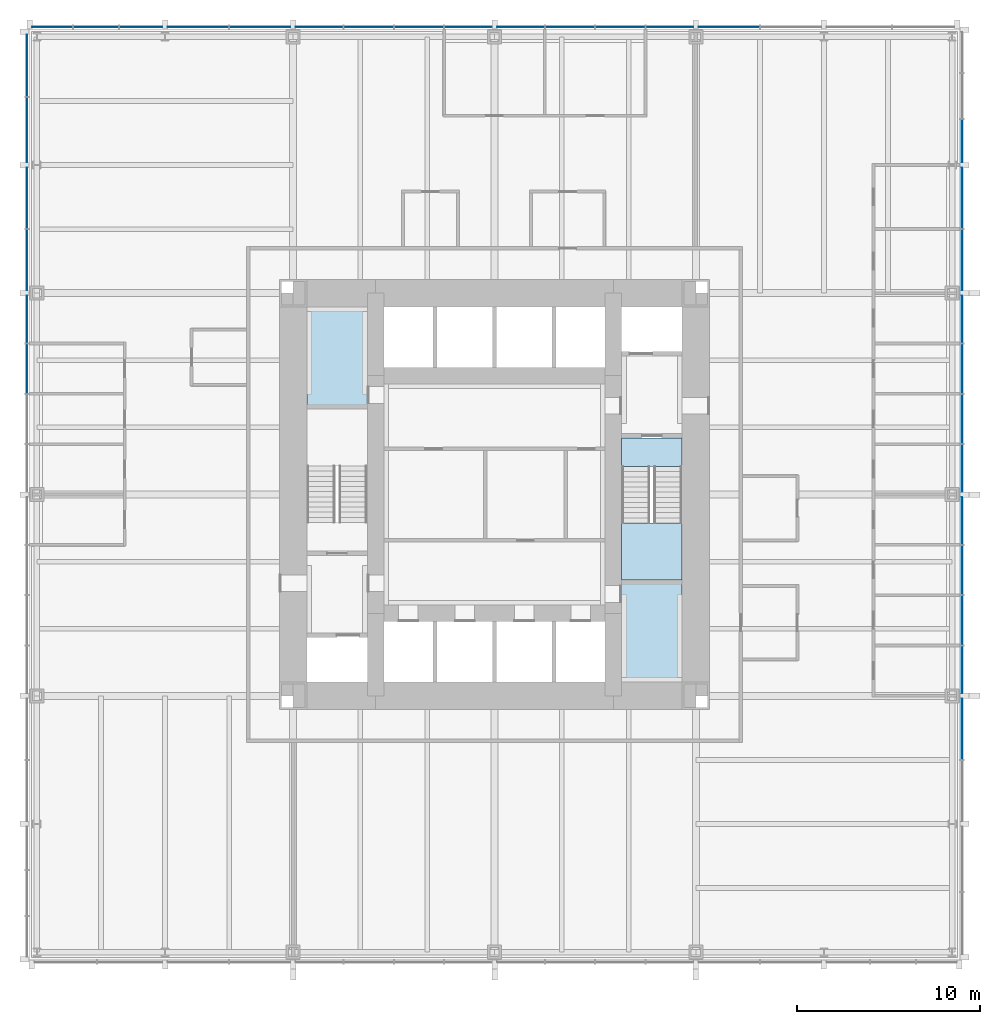
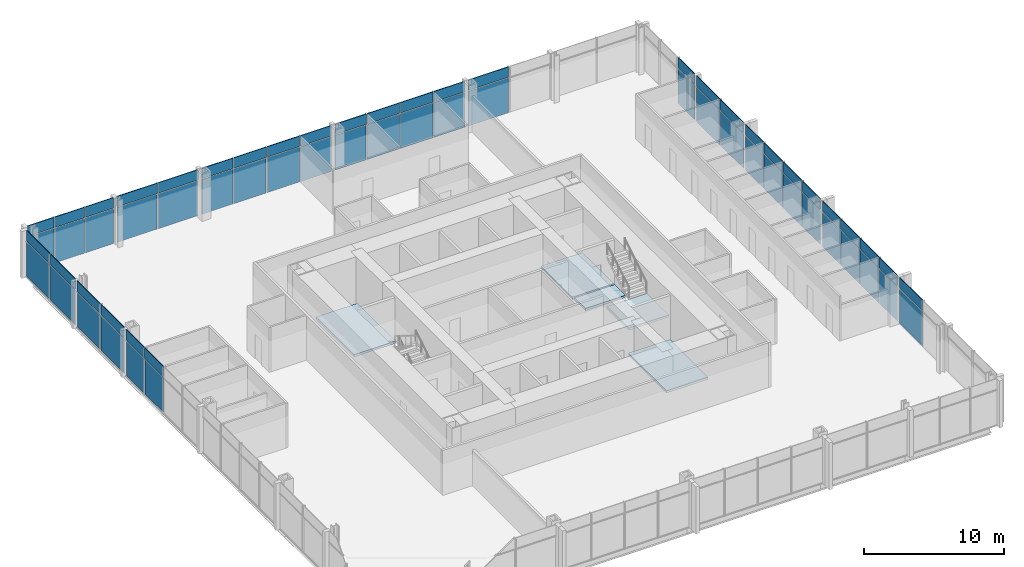
# One storey, part 8 of 12: 64 plates, 5 slabs, 4 elements without a shape of their own.
"""IFC4 building model written with IfcOpenShell, lengths in metres."""

from ifc_helpers import new_model, si_unit, direction, frame, origin, origin_2d, place, context, subcontext, project, spatial, polyline, rectangle, outline, extrude, material, layer, layer_set, type_object, element, aggregate, save


model = new_model("IFC4")

# Units and contexts
model_context = context("Model", 3, precision=1e-05, world=origin(), true_north=direction((0.0, 1.0)))
body_context = subcontext(model_context, "Body", "Model", "MODEL_VIEW")
ifc_project = project(units=[si_unit("LENGTHUNIT", "METRE"), si_unit("AREAUNIT", "SQUARE_METRE"), si_unit("VOLUMEUNIT", "CUBIC_METRE"), si_unit("PLANEANGLEUNIT", "RADIAN"), si_unit("MASSUNIT", "GRAM", prefix="KILO")], contexts=[model_context])

# Site, building, storey
site_placement = place(None, origin())
site = spatial("IfcSite", under=ifc_project, at=site_placement, CompositionType="ELEMENT")
building_placement = place(site_placement, origin())
building = spatial("IfcBuilding", under=site, at=building_placement, Name="Trevanion Tower", CompositionType="ELEMENT")
storey_placement = place(building_placement, frame((0.0, 0.0, 44.699951171875)))
storey = spatial("IfcBuildingStorey", under=building, at=storey_placement, Name="L10", CompositionType="ELEMENT", Elevation=44.699951171875)

# Curtain wall, plates
ifc_material_1 = material(Name="Aluminium and glass", Category="aluminium")
curtain_wall_type = type_object("IfcCurtainWallType", Name="CW1 curtain wall", PredefinedType="USERDEFINED", material=ifc_material_1)
curtain_wall_1_placement = place(storey_placement, origin())
curtain_wall_1 = element("IfcCurtainWall", 1, at=curtain_wall_1_placement, inside=storey, type_object=curtain_wall_type, Name="CW1 L10 0", ObjectType="UNITISED CURTAIN WALL", PredefinedType="USERDEFINED")
ifc_material_2 = material(Name="Aluminium spandrel panel", Category="aluminium")
ifc_layer_1 = layer(ifc_material_2, 0.06005859375)
ifc_layer_set_1 = layer_set([ifc_layer_1], Name="CW1 spandrel panel")
plate_type_1 = type_object("IfcPlateType", Name="CW1 spandrel panel", PredefinedType="CURTAIN_PANEL", material=ifc_layer_set_1)
plate_1_placement = place(storey_placement, frame((25.550048828125, -12.806396484375, 2.99755859375), z_axis=(0.0, 0.0, 1.0), x_axis=(0.0, 1.0, 0.0)))
plate_1 = element("IfcPlate", 2, at=plate_1_placement, type_object=plate_type_1, Name="CW1 panel 4.2", PredefinedType="CURTAIN_PANEL", context=body_context, shape_type="SweptSolid", body=[
    extrude(rectangle(XDim=3.3125, YDim=0.06005859375, at=origin_2d()), origin(), (0.0, 0.0, 1.0), 0.91259765625),
])
plate_2_placement = place(storey_placement, frame((25.550048828125, -9.56884765625, 2.99755859375), z_axis=(0.0, 0.0, 1.0), x_axis=(0.0, 1.0, 0.0)))
plate_2 = element("IfcPlate", 3, at=plate_2_placement, type_object=plate_type_1, Name="CW1 panel 5.2", PredefinedType="CURTAIN_PANEL", context=body_context, shape_type="SweptSolid", body=[
    extrude(rectangle(XDim=2.5625, YDim=0.06005859375, at=origin_2d()), origin(), (0.0, 0.0, 1.0), 0.91259765625),
])
plate_3_placement = place(storey_placement, frame((25.550048828125, -6.875, 2.99755859375), z_axis=(0.0, 0.0, 1.0), x_axis=(0.0, 1.0, 0.0)))
plate_3 = element("IfcPlate", 4, at=plate_3_placement, type_object=plate_type_1, Name="CW1 panel 6.2", PredefinedType="CURTAIN_PANEL", context=body_context, shape_type="SweptSolid", body=[
    extrude(rectangle(XDim=2.675048828125, YDim=0.06005859375, at=origin_2d()), origin(), (0.0, 0.0, 1.0), 0.91259765625),
])
plate_4_placement = place(storey_placement, frame((25.550048828125, -4.125, 2.99755859375), z_axis=(0.0, 0.0, 1.0), x_axis=(0.0, 1.0, 0.0)))
plate_4 = element("IfcPlate", 5, at=plate_4_placement, type_object=plate_type_1, Name="CW1 panel 7.2", PredefinedType="CURTAIN_PANEL", context=body_context, shape_type="SweptSolid", body=[
    extrude(rectangle(XDim=2.675048828125, YDim=0.06005859375, at=origin_2d()), origin(), (0.0, 0.0, 1.0), 0.91259765625),
])
plate_5_placement = place(storey_placement, frame((25.550048828125, -1.43115234375, 2.99755859375), z_axis=(0.0, 0.0, 1.0), x_axis=(0.0, 1.0, 0.0)))
plate_5 = element("IfcPlate", 6, at=plate_5_placement, type_object=plate_type_1, Name="CW1 panel 8.2", PredefinedType="CURTAIN_PANEL", context=body_context, shape_type="SweptSolid", body=[
    extrude(rectangle(XDim=2.5625, YDim=0.06005859375, at=origin_2d()), origin(), (0.0, 0.0, 1.0), 0.91259765625),
])
plate_6_placement = place(storey_placement, frame((25.550048828125, 1.43115234375, 2.99755859375), z_axis=(0.0, 0.0, 1.0), x_axis=(0.0, 1.0, 0.0)))
plate_6 = element("IfcPlate", 7, at=plate_6_placement, type_object=plate_type_1, Name="CW1 panel 9.2", PredefinedType="CURTAIN_PANEL", context=body_context, shape_type="SweptSolid", body=[
    extrude(rectangle(XDim=2.5625, YDim=0.06005859375, at=origin_2d()), origin(), (0.0, 0.0, 1.0), 0.91259765625),
])
plate_7_placement = place(storey_placement, frame((25.550048828125, 4.125, 2.99755859375), z_axis=(0.0, 0.0, 1.0), x_axis=(0.0, 1.0, 0.0)))
plate_7 = element("IfcPlate", 8, at=plate_7_placement, type_object=plate_type_1, Name="CW1 panel 10.2", PredefinedType="CURTAIN_PANEL", context=body_context, shape_type="SweptSolid", body=[
    extrude(rectangle(XDim=2.675048828125, YDim=0.06005859375, at=origin_2d()), origin(), (0.0, 0.0, 1.0), 0.91259765625),
])
plate_8_placement = place(storey_placement, frame((25.550048828125, 6.875, 2.99755859375), z_axis=(0.0, 0.0, 1.0), x_axis=(0.0, 1.0, 0.0)))
plate_8 = element("IfcPlate", 9, at=plate_8_placement, type_object=plate_type_1, Name="CW1 panel 11.2", PredefinedType="CURTAIN_PANEL", context=body_context, shape_type="SweptSolid", body=[
    extrude(rectangle(XDim=2.675048828125, YDim=0.06005859375, at=origin_2d()), origin(), (0.0, 0.0, 1.0), 0.91259765625),
])
plate_9_placement = place(storey_placement, frame((25.550048828125, 9.56884765625, 2.99755859375), z_axis=(0.0, 0.0, 1.0), x_axis=(0.0, 1.0, 0.0)))
plate_9 = element("IfcPlate", 10, at=plate_9_placement, type_object=plate_type_1, Name="CW1 panel 12.2", PredefinedType="CURTAIN_PANEL", context=body_context, shape_type="SweptSolid", body=[
    extrude(rectangle(XDim=2.5625, YDim=0.06005859375, at=origin_2d()), origin(), (0.0, 0.0, 1.0), 0.91259765625),
])
plate_10_placement = place(storey_placement, frame((25.550048828125, 12.80615234375, 2.99755859375), z_axis=(0.0, 0.0, 1.0), x_axis=(0.0, 1.0, 0.0)))
plate_10 = element("IfcPlate", 11, at=plate_10_placement, type_object=plate_type_1, Name="CW1 panel 13.2", PredefinedType="CURTAIN_PANEL", context=body_context, shape_type="SweptSolid", body=[
    extrude(rectangle(XDim=3.3125, YDim=0.06005859375, at=origin_2d()), origin(), (0.0, 0.0, 1.0), 0.91259765625),
])
plate_11_placement = place(storey_placement, frame((25.550048828125, 16.19384765625, 2.99755859375), z_axis=(0.0, 0.0, 1.0), x_axis=(0.0, 1.0, 0.0)))
plate_11 = element("IfcPlate", 12, at=plate_11_placement, type_object=plate_type_1, Name="CW1 panel 14.2", PredefinedType="CURTAIN_PANEL", context=body_context, shape_type="SweptSolid", body=[
    extrude(rectangle(XDim=3.3125, YDim=0.06005859375, at=origin_2d()), origin(), (0.0, 0.0, 1.0), 0.91259765625),
])
plate_12_placement = place(storey_placement, frame((25.550048828125, 19.314697265625, 2.99755859375), z_axis=(0.0, 0.0, 1.0), x_axis=(0.0, 1.0, 0.0)))
plate_12 = element("IfcPlate", 13, at=plate_12_placement, type_object=plate_type_1, Name="CW1 panel 15.2", PredefinedType="CURTAIN_PANEL", context=body_context, shape_type="SweptSolid", body=[
    extrude(rectangle(XDim=2.3291015625, YDim=0.06005859375, at=origin_2d()), origin(), (0.0, 0.0, 1.0), 0.91259765625),
])

curtain_wall_2_placement = place(storey_placement, origin())
curtain_wall_2 = element("IfcCurtainWall", 14, at=curtain_wall_2_placement, inside=storey, type_object=curtain_wall_type, Name="CW1 L10 1", ObjectType="UNITISED CURTAIN WALL", PredefinedType="USERDEFINED")
plate_13_placement = place(storey_placement, frame((12.806396484375, 25.550048828125, 2.99755859375), z_axis=(0.0, 0.0, 1.0), x_axis=(-1.0, 0.0, 0.0)))
plate_13 = element("IfcPlate", 15, at=plate_13_placement, type_object=plate_type_1, Name="CW1 panel 4.2", PredefinedType="CURTAIN_PANEL", context=body_context, shape_type="SweptSolid", body=[
    extrude(rectangle(XDim=3.3125, YDim=0.06005859375, at=origin_2d()), origin(), (0.0, 0.0, 1.0), 0.91259765625),
])
plate_14_placement = place(storey_placement, frame((9.56884765625, 25.550048828125, 2.99755859375), z_axis=(0.0, 0.0, 1.0), x_axis=(-1.0, 0.0, 0.0)))
plate_14 = element("IfcPlate", 16, at=plate_14_placement, type_object=plate_type_1, Name="CW1 panel 5.2", PredefinedType="CURTAIN_PANEL", context=body_context, shape_type="SweptSolid", body=[
    extrude(rectangle(XDim=2.5625, YDim=0.06005859375, at=origin_2d()), origin(), (0.0, 0.0, 1.0), 0.91259765625),
])
plate_15_placement = place(storey_placement, frame((6.875, 25.550048828125, 2.99755859375), z_axis=(0.0, 0.0, 1.0), x_axis=(-1.0, 0.0, 0.0)))
plate_15 = element("IfcPlate", 17, at=plate_15_placement, type_object=plate_type_1, Name="CW1 panel 6.2", PredefinedType="CURTAIN_PANEL", context=body_context, shape_type="SweptSolid", body=[
    extrude(rectangle(XDim=2.675048828125, YDim=0.06005859375, at=origin_2d()), origin(), (0.0, 0.0, 1.0), 0.91259765625),
])
plate_16_placement = place(storey_placement, frame((4.125, 25.550048828125, 2.99755859375), z_axis=(0.0, 0.0, 1.0), x_axis=(-1.0, 0.0, 0.0)))
plate_16 = element("IfcPlate", 18, at=plate_16_placement, type_object=plate_type_1, Name="CW1 panel 7.2", PredefinedType="CURTAIN_PANEL", context=body_context, shape_type="SweptSolid", body=[
    extrude(rectangle(XDim=2.675048828125, YDim=0.06005859375, at=origin_2d()), origin(), (0.0, 0.0, 1.0), 0.91259765625),
])
plate_17_placement = place(storey_placement, frame((1.43115234375, 25.550048828125, 2.99755859375), z_axis=(0.0, 0.0, 1.0), x_axis=(-1.0, 0.0, 0.0)))
plate_17 = element("IfcPlate", 19, at=plate_17_placement, type_object=plate_type_1, Name="CW1 panel 8.2", PredefinedType="CURTAIN_PANEL", context=body_context, shape_type="SweptSolid", body=[
    extrude(rectangle(XDim=2.5625, YDim=0.06005859375, at=origin_2d()), origin(), (0.0, 0.0, 1.0), 0.91259765625),
])
plate_18_placement = place(storey_placement, frame((-1.43115234375, 25.550048828125, 2.99755859375), z_axis=(0.0, 0.0, 1.0), x_axis=(-1.0, 0.0, 0.0)))
plate_18 = element("IfcPlate", 20, at=plate_18_placement, type_object=plate_type_1, Name="CW1 panel 9.2", PredefinedType="CURTAIN_PANEL", context=body_context, shape_type="SweptSolid", body=[
    extrude(rectangle(XDim=2.5625, YDim=0.06005859375, at=origin_2d()), origin(), (0.0, 0.0, 1.0), 0.91259765625),
])
plate_19_placement = place(storey_placement, frame((-4.125, 25.550048828125, 2.99755859375), z_axis=(0.0, 0.0, 1.0), x_axis=(-1.0, 0.0, 0.0)))
plate_19 = element("IfcPlate", 21, at=plate_19_placement, type_object=plate_type_1, Name="CW1 panel 10.2", PredefinedType="CURTAIN_PANEL", context=body_context, shape_type="SweptSolid", body=[
    extrude(rectangle(XDim=2.675048828125, YDim=0.06005859375, at=origin_2d()), origin(), (0.0, 0.0, 1.0), 0.91259765625),
])
plate_20_placement = place(storey_placement, frame((-6.875, 25.550048828125, 2.99755859375), z_axis=(0.0, 0.0, 1.0), x_axis=(-1.0, 0.0, 0.0)))
plate_20 = element("IfcPlate", 22, at=plate_20_placement, type_object=plate_type_1, Name="CW1 panel 11.2", PredefinedType="CURTAIN_PANEL", context=body_context, shape_type="SweptSolid", body=[
    extrude(rectangle(XDim=2.675048828125, YDim=0.06005859375, at=origin_2d()), origin(), (0.0, 0.0, 1.0), 0.91259765625),
])
plate_21_placement = place(storey_placement, frame((-9.56884765625, 25.550048828125, 2.99755859375), z_axis=(0.0, 0.0, 1.0), x_axis=(-1.0, 0.0, 0.0)))
plate_21 = element("IfcPlate", 23, at=plate_21_placement, type_object=plate_type_1, Name="CW1 panel 12.2", PredefinedType="CURTAIN_PANEL", context=body_context, shape_type="SweptSolid", body=[
    extrude(rectangle(XDim=2.5625, YDim=0.06005859375, at=origin_2d()), origin(), (0.0, 0.0, 1.0), 0.91259765625),
])
plate_22_placement = place(storey_placement, frame((-12.80615234375, 25.550048828125, 2.99755859375), z_axis=(0.0, 0.0, 1.0), x_axis=(-1.0, 0.0, 0.0)))
plate_22 = element("IfcPlate", 24, at=plate_22_placement, type_object=plate_type_1, Name="CW1 panel 13.2", PredefinedType="CURTAIN_PANEL", context=body_context, shape_type="SweptSolid", body=[
    extrude(rectangle(XDim=3.3125, YDim=0.06005859375, at=origin_2d()), origin(), (0.0, 0.0, 1.0), 0.91259765625),
])
plate_23_placement = place(storey_placement, frame((-16.19384765625, 25.550048828125, 2.99755859375), z_axis=(0.0, 0.0, 1.0), x_axis=(-1.0, 0.0, 0.0)))
plate_23 = element("IfcPlate", 25, at=plate_23_placement, type_object=plate_type_1, Name="CW1 panel 14.2", PredefinedType="CURTAIN_PANEL", context=body_context, shape_type="SweptSolid", body=[
    extrude(rectangle(XDim=3.3125, YDim=0.06005859375, at=origin_2d()), origin(), (0.0, 0.0, 1.0), 0.91259765625),
])
plate_24_placement = place(storey_placement, frame((-19.314697265625, 25.550048828125, 2.99755859375), z_axis=(0.0, 0.0, 1.0), x_axis=(-1.0, 0.0, 0.0)))
plate_24 = element("IfcPlate", 26, at=plate_24_placement, type_object=plate_type_1, Name="CW1 panel 15.2", PredefinedType="CURTAIN_PANEL", context=body_context, shape_type="SweptSolid", body=[
    extrude(rectangle(XDim=2.3291015625, YDim=0.06005859375, at=origin_2d()), origin(), (0.0, 0.0, 1.0), 0.91259765625),
])
plate_25_placement = place(storey_placement, frame((-21.77490234375, 25.550048828125, 2.99755859375), z_axis=(0.0, 0.0, 1.0), x_axis=(-1.0, 0.0, 0.0)))
plate_25 = element("IfcPlate", 27, at=plate_25_placement, type_object=plate_type_1, Name="CW1 panel 16.2", PredefinedType="CURTAIN_PANEL", context=body_context, shape_type="SweptSolid", body=[
    extrude(rectangle(XDim=2.441650390625, YDim=0.06005859375, at=origin_2d()), origin(), (0.0, 0.0, 1.0), 0.91259765625),
])
plate_26_placement = place(storey_placement, frame((-24.160400390625, 25.550048828125, 2.99755859375), z_axis=(0.0, 0.0, 1.0), x_axis=(-1.0, 0.0, 0.0)))
plate_26 = element("IfcPlate", 28, at=plate_26_placement, type_object=plate_type_1, Name="CW1 panel 17.2", PredefinedType="CURTAIN_PANEL", context=body_context, shape_type="SweptSolid", body=[
    extrude(rectangle(XDim=2.17919921875, YDim=0.06005859375, at=origin_2d()), origin(), (0.0, 0.0, 1.0), 0.91259765625),
])

curtain_wall_3_placement = place(storey_placement, origin())
curtain_wall_3 = element("IfcCurtainWall", 29, at=curtain_wall_3_placement, inside=storey, type_object=curtain_wall_type, Name="CW1 L10 2", ObjectType="UNITISED CURTAIN WALL", PredefinedType="USERDEFINED")
plate_27_placement = place(storey_placement, frame((-25.550048828125, 23.433837890625, 2.99755859375), z_axis=(0.0, 0.0, 1.0), x_axis=(0.0, -1.0, 0.0)))
plate_27 = element("IfcPlate", 30, at=plate_27_placement, type_object=plate_type_1, Name="CW1 panel 1.2", PredefinedType="CURTAIN_PANEL", context=body_context, shape_type="SweptSolid", body=[
    extrude(rectangle(XDim=3.37255859375, YDim=0.06005859375, at=origin_2d()), origin(), (0.0, 0.0, 1.0), 0.91259765625),
])
plate_28_placement = place(storey_placement, frame((-25.550048828125, 19.911376953125, 2.99755859375), z_axis=(0.0, 0.0, 1.0), x_axis=(0.0, -1.0, 0.0)))
plate_28 = element("IfcPlate", 31, at=plate_28_placement, type_object=plate_type_1, Name="CW1 panel 2.2", PredefinedType="CURTAIN_PANEL", context=body_context, shape_type="SweptSolid", body=[
    extrude(rectangle(XDim=3.5224609375, YDim=0.06005859375, at=origin_2d()), origin(), (0.0, 0.0, 1.0), 0.91259765625),
])
plate_29_placement = place(storey_placement, frame((-25.550048828125, 16.19384765625, 2.99755859375), z_axis=(0.0, 0.0, 1.0), x_axis=(0.0, -1.0, 0.0)))
plate_29 = element("IfcPlate", 32, at=plate_29_placement, type_object=plate_type_1, Name="CW1 panel 3.2", PredefinedType="CURTAIN_PANEL", context=body_context, shape_type="SweptSolid", body=[
    extrude(rectangle(XDim=3.3125, YDim=0.06005859375, at=origin_2d()), origin(), (0.0, 0.0, 1.0), 0.91259765625),
])
plate_30_placement = place(storey_placement, frame((-25.550048828125, 12.806396484375, 2.99755859375), z_axis=(0.0, 0.0, 1.0), x_axis=(0.0, -1.0, 0.0)))
plate_30 = element("IfcPlate", 33, at=plate_30_placement, type_object=plate_type_1, Name="CW1 panel 4.2", PredefinedType="CURTAIN_PANEL", context=body_context, shape_type="SweptSolid", body=[
    extrude(rectangle(XDim=3.3125, YDim=0.06005859375, at=origin_2d()), origin(), (0.0, 0.0, 1.0), 0.91259765625),
])
plate_31_placement = place(storey_placement, frame((-25.550048828125, 9.56884765625, 2.99755859375), z_axis=(0.0, 0.0, 1.0), x_axis=(0.0, -1.0, 0.0)))
plate_31 = element("IfcPlate", 34, at=plate_31_placement, type_object=plate_type_1, Name="CW1 panel 5.2", PredefinedType="CURTAIN_PANEL", context=body_context, shape_type="SweptSolid", body=[
    extrude(rectangle(XDim=2.5625, YDim=0.06005859375, at=origin_2d()), origin(), (0.0, 0.0, 1.0), 0.91259765625),
])
plate_32_placement = place(storey_placement, frame((-25.550048828125, 6.875, 2.99755859375), z_axis=(0.0, 0.0, 1.0), x_axis=(0.0, -1.0, 0.0)))
plate_32 = element("IfcPlate", 35, at=plate_32_placement, type_object=plate_type_1, Name="CW1 panel 6.2", PredefinedType="CURTAIN_PANEL", context=body_context, shape_type="SweptSolid", body=[
    extrude(rectangle(XDim=2.675048828125, YDim=0.06005859375, at=origin_2d()), origin(), (0.0, 0.0, 1.0), 0.91259765625),
])

# Plate
ifc_material_3 = material(Name="Insulating glass unit", Category="glass")
ifc_layer_2 = layer(ifc_material_3, 0.028076171875)
ifc_layer_set_2 = layer_set([ifc_layer_2], Name="CW1 vision panel")
plate_type_2 = type_object("IfcPlateType", Name="CW1 vision panel", PredefinedType="CURTAIN_PANEL", material=ifc_layer_set_2)
plate_33_placement = place(storey_placement, frame((25.550048828125, -12.806396484375, -0.114990234375), z_axis=(0.0, 0.0, 1.0), x_axis=(0.0, 1.0, 0.0)))
plate_33 = element("IfcPlate", 36, at=plate_33_placement, type_object=plate_type_2, Name="CW1 panel 4.1", PredefinedType="CURTAIN_PANEL", context=body_context, shape_type="SweptSolid", body=[
    extrude(rectangle(XDim=3.3125, YDim=0.028076171875, at=origin_2d()), origin(), (0.0, 0.0, 1.0), 3.03759765625),
])

plate_34_placement = place(storey_placement, frame((25.550048828125, -9.56884765625, -0.114990234375), z_axis=(0.0, 0.0, 1.0), x_axis=(0.0, 1.0, 0.0)))
plate_34 = element("IfcPlate", 37, at=plate_34_placement, type_object=plate_type_2, Name="CW1 panel 5.1", PredefinedType="CURTAIN_PANEL", context=body_context, shape_type="SweptSolid", body=[
    extrude(rectangle(XDim=2.5625, YDim=0.028076171875, at=origin_2d()), origin(), (0.0, 0.0, 1.0), 3.03759765625),
])

plate_35_placement = place(storey_placement, frame((25.550048828125, -6.875, -0.114990234375), z_axis=(0.0, 0.0, 1.0), x_axis=(0.0, 1.0, 0.0)))
plate_35 = element("IfcPlate", 38, at=plate_35_placement, type_object=plate_type_2, Name="CW1 panel 6.1", PredefinedType="CURTAIN_PANEL", context=body_context, shape_type="SweptSolid", body=[
    extrude(rectangle(XDim=2.675048828125, YDim=0.028076171875, at=origin_2d()), origin(), (0.0, 0.0, 1.0), 3.03759765625),
])

plate_36_placement = place(storey_placement, frame((25.550048828125, -4.125, -0.114990234375), z_axis=(0.0, 0.0, 1.0), x_axis=(0.0, 1.0, 0.0)))
plate_36 = element("IfcPlate", 39, at=plate_36_placement, type_object=plate_type_2, Name="CW1 panel 7.1", PredefinedType="CURTAIN_PANEL", context=body_context, shape_type="SweptSolid", body=[
    extrude(rectangle(XDim=2.675048828125, YDim=0.028076171875, at=origin_2d()), origin(), (0.0, 0.0, 1.0), 3.03759765625),
])

plate_37_placement = place(storey_placement, frame((25.550048828125, -1.43115234375, -0.114990234375), z_axis=(0.0, 0.0, 1.0), x_axis=(0.0, 1.0, 0.0)))
plate_37 = element("IfcPlate", 40, at=plate_37_placement, type_object=plate_type_2, Name="CW1 panel 8.1", PredefinedType="CURTAIN_PANEL", context=body_context, shape_type="SweptSolid", body=[
    extrude(rectangle(XDim=2.5625, YDim=0.028076171875, at=origin_2d()), origin(), (0.0, 0.0, 1.0), 3.03759765625),
])

plate_38_placement = place(storey_placement, frame((25.550048828125, 1.43115234375, -0.114990234375), z_axis=(0.0, 0.0, 1.0), x_axis=(0.0, 1.0, 0.0)))
plate_38 = element("IfcPlate", 41, at=plate_38_placement, type_object=plate_type_2, Name="CW1 panel 9.1", PredefinedType="CURTAIN_PANEL", context=body_context, shape_type="SweptSolid", body=[
    extrude(rectangle(XDim=2.5625, YDim=0.028076171875, at=origin_2d()), origin(), (0.0, 0.0, 1.0), 3.03759765625),
])

plate_39_placement = place(storey_placement, frame((25.550048828125, 4.125, -0.114990234375), z_axis=(0.0, 0.0, 1.0), x_axis=(0.0, 1.0, 0.0)))
plate_39 = element("IfcPlate", 42, at=plate_39_placement, type_object=plate_type_2, Name="CW1 panel 10.1", PredefinedType="CURTAIN_PANEL", context=body_context, shape_type="SweptSolid", body=[
    extrude(rectangle(XDim=2.675048828125, YDim=0.028076171875, at=origin_2d()), origin(), (0.0, 0.0, 1.0), 3.03759765625),
])

plate_40_placement = place(storey_placement, frame((25.550048828125, 6.875, -0.114990234375), z_axis=(0.0, 0.0, 1.0), x_axis=(0.0, 1.0, 0.0)))
plate_40 = element("IfcPlate", 43, at=plate_40_placement, type_object=plate_type_2, Name="CW1 panel 11.1", PredefinedType="CURTAIN_PANEL", context=body_context, shape_type="SweptSolid", body=[
    extrude(rectangle(XDim=2.675048828125, YDim=0.028076171875, at=origin_2d()), origin(), (0.0, 0.0, 1.0), 3.03759765625),
])

plate_41_placement = place(storey_placement, frame((25.550048828125, 9.56884765625, -0.114990234375), z_axis=(0.0, 0.0, 1.0), x_axis=(0.0, 1.0, 0.0)))
plate_41 = element("IfcPlate", 44, at=plate_41_placement, type_object=plate_type_2, Name="CW1 panel 12.1", PredefinedType="CURTAIN_PANEL", context=body_context, shape_type="SweptSolid", body=[
    extrude(rectangle(XDim=2.5625, YDim=0.028076171875, at=origin_2d()), origin(), (0.0, 0.0, 1.0), 3.03759765625),
])

plate_42_placement = place(storey_placement, frame((25.550048828125, 12.80615234375, -0.114990234375), z_axis=(0.0, 0.0, 1.0), x_axis=(0.0, 1.0, 0.0)))
plate_42 = element("IfcPlate", 45, at=plate_42_placement, type_object=plate_type_2, Name="CW1 panel 13.1", PredefinedType="CURTAIN_PANEL", context=body_context, shape_type="SweptSolid", body=[
    extrude(rectangle(XDim=3.3125, YDim=0.028076171875, at=origin_2d()), origin(), (0.0, 0.0, 1.0), 3.03759765625),
])

plate_43_placement = place(storey_placement, frame((25.550048828125, 16.19384765625, -0.114990234375), z_axis=(0.0, 0.0, 1.0), x_axis=(0.0, 1.0, 0.0)))
plate_43 = element("IfcPlate", 46, at=plate_43_placement, type_object=plate_type_2, Name="CW1 panel 14.1", PredefinedType="CURTAIN_PANEL", context=body_context, shape_type="SweptSolid", body=[
    extrude(rectangle(XDim=3.3125, YDim=0.028076171875, at=origin_2d()), origin(), (0.0, 0.0, 1.0), 3.03759765625),
])

plate_44_placement = place(storey_placement, frame((25.550048828125, 19.314697265625, -0.114990234375), z_axis=(0.0, 0.0, 1.0), x_axis=(0.0, 1.0, 0.0)))
plate_44 = element("IfcPlate", 47, at=plate_44_placement, type_object=plate_type_2, Name="CW1 panel 15.1", PredefinedType="CURTAIN_PANEL", context=body_context, shape_type="SweptSolid", body=[
    extrude(rectangle(XDim=2.3291015625, YDim=0.028076171875, at=origin_2d()), origin(), (0.0, 0.0, 1.0), 3.03759765625),
])

aggregate(curtain_wall_1, [plate_33, plate_1, plate_34, plate_2, plate_35, plate_3, plate_36, plate_4, plate_37, plate_5, plate_38, plate_6, plate_39, plate_7, plate_40, plate_8, plate_41, plate_9, plate_42, plate_10, plate_43, plate_11, plate_44, plate_12])

plate_45_placement = place(storey_placement, frame((12.806396484375, 25.550048828125, -0.114990234375), z_axis=(0.0, 0.0, 1.0), x_axis=(-1.0, 0.0, 0.0)))
plate_45 = element("IfcPlate", 48, at=plate_45_placement, type_object=plate_type_2, Name="CW1 panel 4.1", PredefinedType="CURTAIN_PANEL", context=body_context, shape_type="SweptSolid", body=[
    extrude(rectangle(XDim=3.3125, YDim=0.028076171875, at=origin_2d()), origin(), (0.0, 0.0, 1.0), 3.03759765625),
])

plate_46_placement = place(storey_placement, frame((9.56884765625, 25.550048828125, -0.114990234375), z_axis=(0.0, 0.0, 1.0), x_axis=(-1.0, 0.0, 0.0)))
plate_46 = element("IfcPlate", 49, at=plate_46_placement, type_object=plate_type_2, Name="CW1 panel 5.1", PredefinedType="CURTAIN_PANEL", context=body_context, shape_type="SweptSolid", body=[
    extrude(rectangle(XDim=2.5625, YDim=0.028076171875, at=origin_2d()), origin(), (0.0, 0.0, 1.0), 3.03759765625),
])

plate_47_placement = place(storey_placement, frame((6.875, 25.550048828125, -0.114990234375), z_axis=(0.0, 0.0, 1.0), x_axis=(-1.0, 0.0, 0.0)))
plate_47 = element("IfcPlate", 50, at=plate_47_placement, type_object=plate_type_2, Name="CW1 panel 6.1", PredefinedType="CURTAIN_PANEL", context=body_context, shape_type="SweptSolid", body=[
    extrude(rectangle(XDim=2.675048828125, YDim=0.028076171875, at=origin_2d()), origin(), (0.0, 0.0, 1.0), 3.03759765625),
])

plate_48_placement = place(storey_placement, frame((4.125, 25.550048828125, -0.114990234375), z_axis=(0.0, 0.0, 1.0), x_axis=(-1.0, 0.0, 0.0)))
plate_48 = element("IfcPlate", 51, at=plate_48_placement, type_object=plate_type_2, Name="CW1 panel 7.1", PredefinedType="CURTAIN_PANEL", context=body_context, shape_type="SweptSolid", body=[
    extrude(rectangle(XDim=2.675048828125, YDim=0.028076171875, at=origin_2d()), origin(), (0.0, 0.0, 1.0), 3.03759765625),
])

plate_49_placement = place(storey_placement, frame((1.43115234375, 25.550048828125, -0.114990234375), z_axis=(0.0, 0.0, 1.0), x_axis=(-1.0, 0.0, 0.0)))
plate_49 = element("IfcPlate", 52, at=plate_49_placement, type_object=plate_type_2, Name="CW1 panel 8.1", PredefinedType="CURTAIN_PANEL", context=body_context, shape_type="SweptSolid", body=[
    extrude(rectangle(XDim=2.5625, YDim=0.028076171875, at=origin_2d()), origin(), (0.0, 0.0, 1.0), 3.03759765625),
])

plate_50_placement = place(storey_placement, frame((-1.43115234375, 25.550048828125, -0.114990234375), z_axis=(0.0, 0.0, 1.0), x_axis=(-1.0, 0.0, 0.0)))
plate_50 = element("IfcPlate", 53, at=plate_50_placement, type_object=plate_type_2, Name="CW1 panel 9.1", PredefinedType="CURTAIN_PANEL", context=body_context, shape_type="SweptSolid", body=[
    extrude(rectangle(XDim=2.5625, YDim=0.028076171875, at=origin_2d()), origin(), (0.0, 0.0, 1.0), 3.03759765625),
])

plate_51_placement = place(storey_placement, frame((-4.125, 25.550048828125, -0.114990234375), z_axis=(0.0, 0.0, 1.0), x_axis=(-1.0, 0.0, 0.0)))
plate_51 = element("IfcPlate", 54, at=plate_51_placement, type_object=plate_type_2, Name="CW1 panel 10.1", PredefinedType="CURTAIN_PANEL", context=body_context, shape_type="SweptSolid", body=[
    extrude(rectangle(XDim=2.675048828125, YDim=0.028076171875, at=origin_2d()), origin(), (0.0, 0.0, 1.0), 3.03759765625),
])

plate_52_placement = place(storey_placement, frame((-6.875, 25.550048828125, -0.114990234375), z_axis=(0.0, 0.0, 1.0), x_axis=(-1.0, 0.0, 0.0)))
plate_52 = element("IfcPlate", 55, at=plate_52_placement, type_object=plate_type_2, Name="CW1 panel 11.1", PredefinedType="CURTAIN_PANEL", context=body_context, shape_type="SweptSolid", body=[
    extrude(rectangle(XDim=2.675048828125, YDim=0.028076171875, at=origin_2d()), origin(), (0.0, 0.0, 1.0), 3.03759765625),
])

plate_53_placement = place(storey_placement, frame((-9.56884765625, 25.550048828125, -0.114990234375), z_axis=(0.0, 0.0, 1.0), x_axis=(-1.0, 0.0, 0.0)))
plate_53 = element("IfcPlate", 56, at=plate_53_placement, type_object=plate_type_2, Name="CW1 panel 12.1", PredefinedType="CURTAIN_PANEL", context=body_context, shape_type="SweptSolid", body=[
    extrude(rectangle(XDim=2.5625, YDim=0.028076171875, at=origin_2d()), origin(), (0.0, 0.0, 1.0), 3.03759765625),
])

plate_54_placement = place(storey_placement, frame((-12.80615234375, 25.550048828125, -0.114990234375), z_axis=(0.0, 0.0, 1.0), x_axis=(-1.0, 0.0, 0.0)))
plate_54 = element("IfcPlate", 57, at=plate_54_placement, type_object=plate_type_2, Name="CW1 panel 13.1", PredefinedType="CURTAIN_PANEL", context=body_context, shape_type="SweptSolid", body=[
    extrude(rectangle(XDim=3.3125, YDim=0.028076171875, at=origin_2d()), origin(), (0.0, 0.0, 1.0), 3.03759765625),
])

plate_55_placement = place(storey_placement, frame((-16.19384765625, 25.550048828125, -0.114990234375), z_axis=(0.0, 0.0, 1.0), x_axis=(-1.0, 0.0, 0.0)))
plate_55 = element("IfcPlate", 58, at=plate_55_placement, type_object=plate_type_2, Name="CW1 panel 14.1", PredefinedType="CURTAIN_PANEL", context=body_context, shape_type="SweptSolid", body=[
    extrude(rectangle(XDim=3.3125, YDim=0.028076171875, at=origin_2d()), origin(), (0.0, 0.0, 1.0), 3.03759765625),
])

plate_56_placement = place(storey_placement, frame((-19.314697265625, 25.550048828125, -0.114990234375), z_axis=(0.0, 0.0, 1.0), x_axis=(-1.0, 0.0, 0.0)))
plate_56 = element("IfcPlate", 59, at=plate_56_placement, type_object=plate_type_2, Name="CW1 panel 15.1", PredefinedType="CURTAIN_PANEL", context=body_context, shape_type="SweptSolid", body=[
    extrude(rectangle(XDim=2.3291015625, YDim=0.028076171875, at=origin_2d()), origin(), (0.0, 0.0, 1.0), 3.03759765625),
])

plate_57_placement = place(storey_placement, frame((-21.77490234375, 25.550048828125, -0.114990234375), z_axis=(0.0, 0.0, 1.0), x_axis=(-1.0, 0.0, 0.0)))
plate_57 = element("IfcPlate", 60, at=plate_57_placement, type_object=plate_type_2, Name="CW1 panel 16.1", PredefinedType="CURTAIN_PANEL", context=body_context, shape_type="SweptSolid", body=[
    extrude(rectangle(XDim=2.441650390625, YDim=0.028076171875, at=origin_2d()), origin(), (0.0, 0.0, 1.0), 3.03759765625),
])

plate_58_placement = place(storey_placement, frame((-24.160400390625, 25.550048828125, -0.114990234375), z_axis=(0.0, 0.0, 1.0), x_axis=(-1.0, 0.0, 0.0)))
plate_58 = element("IfcPlate", 61, at=plate_58_placement, type_object=plate_type_2, Name="CW1 panel 17.1", PredefinedType="CURTAIN_PANEL", context=body_context, shape_type="SweptSolid", body=[
    extrude(rectangle(XDim=2.17919921875, YDim=0.028076171875, at=origin_2d()), origin(), (0.0, 0.0, 1.0), 3.03759765625),
])

aggregate(curtain_wall_2, [plate_45, plate_13, plate_46, plate_14, plate_47, plate_15, plate_48, plate_16, plate_49, plate_17, plate_50, plate_18, plate_51, plate_19, plate_52, plate_20, plate_53, plate_21, plate_54, plate_22, plate_55, plate_23, plate_56, plate_24, plate_57, plate_25, plate_58, plate_26])

plate_59_placement = place(storey_placement, frame((-25.550048828125, 23.433837890625, -0.114990234375), z_axis=(0.0, 0.0, 1.0), x_axis=(0.0, -1.0, 0.0)))
plate_59 = element("IfcPlate", 62, at=plate_59_placement, type_object=plate_type_2, Name="CW1 panel 1.1", PredefinedType="CURTAIN_PANEL", context=body_context, shape_type="SweptSolid", body=[
    extrude(rectangle(XDim=3.37255859375, YDim=0.028076171875, at=origin_2d()), origin(), (0.0, 0.0, 1.0), 3.03759765625),
])

plate_60_placement = place(storey_placement, frame((-25.550048828125, 19.911376953125, -0.114990234375), z_axis=(0.0, 0.0, 1.0), x_axis=(0.0, -1.0, 0.0)))
plate_60 = element("IfcPlate", 63, at=plate_60_placement, type_object=plate_type_2, Name="CW1 panel 2.1", PredefinedType="CURTAIN_PANEL", context=body_context, shape_type="SweptSolid", body=[
    extrude(rectangle(XDim=3.5224609375, YDim=0.028076171875, at=origin_2d()), origin(), (0.0, 0.0, 1.0), 3.03759765625),
])

plate_61_placement = place(storey_placement, frame((-25.550048828125, 16.19384765625, -0.114990234375), z_axis=(0.0, 0.0, 1.0), x_axis=(0.0, -1.0, 0.0)))
plate_61 = element("IfcPlate", 64, at=plate_61_placement, type_object=plate_type_2, Name="CW1 panel 3.1", PredefinedType="CURTAIN_PANEL", context=body_context, shape_type="SweptSolid", body=[
    extrude(rectangle(XDim=3.3125, YDim=0.028076171875, at=origin_2d()), origin(), (0.0, 0.0, 1.0), 3.03759765625),
])

plate_62_placement = place(storey_placement, frame((-25.550048828125, 12.806396484375, -0.114990234375), z_axis=(0.0, 0.0, 1.0), x_axis=(0.0, -1.0, 0.0)))
plate_62 = element("IfcPlate", 65, at=plate_62_placement, type_object=plate_type_2, Name="CW1 panel 4.1", PredefinedType="CURTAIN_PANEL", context=body_context, shape_type="SweptSolid", body=[
    extrude(rectangle(XDim=3.3125, YDim=0.028076171875, at=origin_2d()), origin(), (0.0, 0.0, 1.0), 3.03759765625),
])

plate_63_placement = place(storey_placement, frame((-25.550048828125, 9.56884765625, -0.114990234375), z_axis=(0.0, 0.0, 1.0), x_axis=(0.0, -1.0, 0.0)))
plate_63 = element("IfcPlate", 66, at=plate_63_placement, type_object=plate_type_2, Name="CW1 panel 5.1", PredefinedType="CURTAIN_PANEL", context=body_context, shape_type="SweptSolid", body=[
    extrude(rectangle(XDim=2.5625, YDim=0.028076171875, at=origin_2d()), origin(), (0.0, 0.0, 1.0), 3.03759765625),
])

plate_64_placement = place(storey_placement, frame((-25.550048828125, 6.875, -0.114990234375), z_axis=(0.0, 0.0, 1.0), x_axis=(0.0, -1.0, 0.0)))
plate_64 = element("IfcPlate", 67, at=plate_64_placement, type_object=plate_type_2, Name="CW1 panel 6.1", PredefinedType="CURTAIN_PANEL", context=body_context, shape_type="SweptSolid", body=[
    extrude(rectangle(XDim=2.675048828125, YDim=0.028076171875, at=origin_2d()), origin(), (0.0, 0.0, 1.0), 3.03759765625),
])

aggregate(curtain_wall_3, [plate_59, plate_27, plate_60, plate_28, plate_61, plate_29, plate_62, plate_30, plate_63, plate_31, plate_64, plate_32])

# Slabs
ifc_material_4 = material(Name="Concrete 5,000 psi", Category="concrete")
ifc_layer_3 = layer(ifc_material_4, 0.199951171875)
ifc_layer_set_3 = layer_set([ifc_layer_3], Name="SL2 core floor 200")
slab_type_1 = type_object("IfcSlabType", Name="SL2 core floor 200", PredefinedType="FLOOR", material=ifc_layer_set_3)
slab_1_placement = place(storey_placement, frame((0.0, 0.0, -0.199951171875)))
element("IfcSlab", 68, at=slab_1_placement, inside=storey, type_object=slab_type_1, Name="SL2 L10 core floor 1", PredefinedType="FLOOR", context=body_context, shape_type="SweptSolid", body=[
    extrude(outline(polyline([(10.25, -4.804931640625), (10.25, -10.25), (6.830078125, -10.25), (6.830078125, -4.804931640625), (10.25, -4.804931640625)])), origin(), (0.0, 0.0, 1.0), 0.199951171875),
])
slab_2_placement = place(storey_placement, frame((0.0, 0.0, -0.199951171875)))
element("IfcSlab", 69, at=slab_2_placement, inside=storey, type_object=slab_type_1, Name="SL2 L10 core floor 4", PredefinedType="FLOOR", context=body_context, shape_type="SweptSolid", body=[
    extrude(outline(polyline([(6.830078125, 3.205078125), (6.830078125, 7.695068359375), (10.25, 7.695068359375), (10.25, 3.205078125), (6.830078125, 3.205078125)])), origin(), (0.0, 0.0, 1.0), 0.199951171875),
])
slab_3_placement = place(storey_placement, frame((0.0, 0.0, -0.199951171875)))
element("IfcSlab", 70, at=slab_3_placement, inside=storey, type_object=slab_type_1, Name="SL2 L10 core floor 5", PredefinedType="FLOOR", context=body_context, shape_type="SweptSolid", body=[
    extrude(outline(polyline([(-6.830078125, 4.804931640625), (-10.25, 4.804931640625), (-10.25, 10.25), (-6.830078125, 10.25), (-6.830078125, 4.804931640625)])), origin(), (0.0, 0.0, 1.0), 0.199951171875),
])

# Stair, slabs
ifc_material_5 = material(Name="Concrete 5,000 psi on steel stringers", Category="concrete")
stair_type = type_object("IfcStairType", Name="ST stair", PredefinedType="HALF_TURN_STAIR", material=ifc_material_5)
stair_placement = place(storey_placement, origin())
stair = element("IfcStair", 71, at=stair_placement, inside=storey, type_object=stair_type, Name="ST1 L10", PredefinedType="HALF_TURN_STAIR")
ifc_material_6 = material(Name="Concrete 5,000 psi in steel pan", Category="concrete")
ifc_layer_4 = layer(ifc_material_6, 0.199951171875)
ifc_layer_set_4 = layer_set([ifc_layer_4], Name="STL stair landing 200")
slab_type_2 = type_object("IfcSlabType", Name="STL stair landing 200", PredefinedType="LANDING", material=ifc_layer_set_4)
slab_4_placement = place(storey_placement, frame((0.0, 0.0, -0.199951171875)))
slab_4 = element("IfcSlab", 72, at=slab_4_placement, type_object=slab_type_2, Name="ST1 landing 1", PredefinedType="LANDING", context=body_context, shape_type="SweptSolid", body=[
    extrude(outline(polyline([(6.949951171875, 1.52490234375), (10.25, 1.52490234375), (10.25, 3.074951171875), (6.949951171875, 3.074951171875), (6.949951171875, 1.52490234375)])), origin(), (0.0, 0.0, 1.0), 0.199951171875),
])
slab_5_placement = place(storey_placement, frame((0.0, 0.0, 1.85009765625)))
slab_5 = element("IfcSlab", 73, at=slab_5_placement, type_object=slab_type_2, Name="ST1 landing 2", PredefinedType="LANDING", context=body_context, shape_type="SweptSolid", body=[
    extrude(outline(polyline([(6.949951171875, -4.675048828125), (10.25, -4.675048828125), (10.25, -1.554931640625), (6.949951171875, -1.554931640625), (6.949951171875, -4.675048828125)])), origin(), (0.0, 0.0, 1.0), 0.199951171875),
])
aggregate(stair, [slab_4, slab_5])

save(model, "model.ifc")
